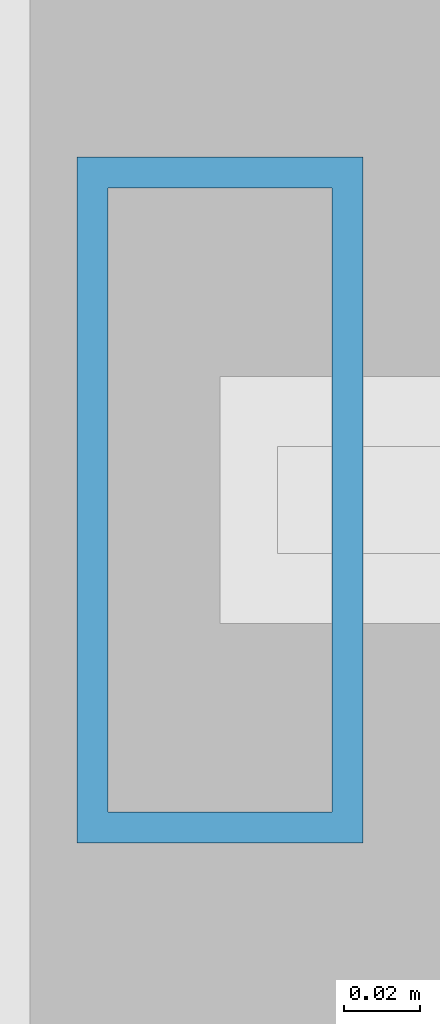
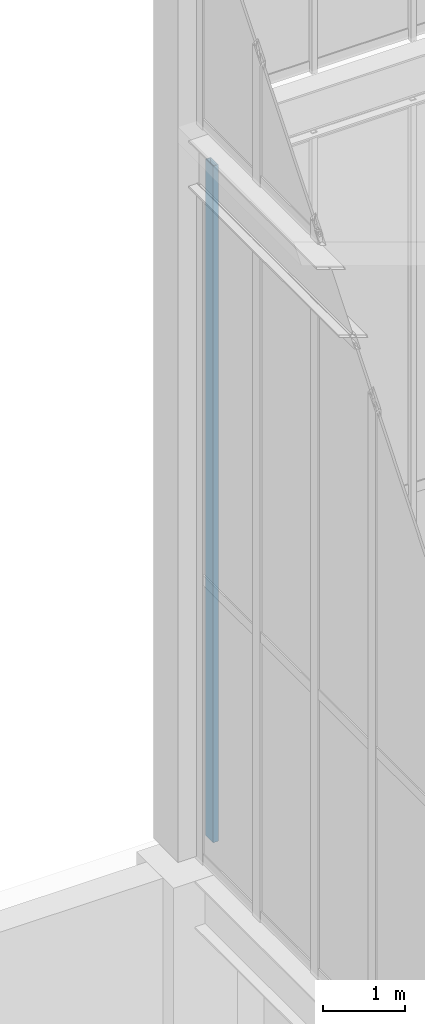
# One storey, part 107 of 135: 1 member, 1 element without a shape of its own.
"""IFC4 building model written with IfcOpenShell, lengths in metres."""

from ifc_helpers import new_model, si_unit, direction, frame, origin, origin_2d, place, context, subcontext, project, spatial, hollow_rectangle, extrude, source, transform, mapped, material, layer, layer_set, material_profile, profile_set, type_object, element, aggregate, save


model = new_model("IFC4")

# Units and contexts
model_context = context("Model", 3, precision=1e-05, world=origin(), true_north=direction((0.0, 1.0)))
body_context = subcontext(model_context, "Body", "Model", "MODEL_VIEW")
ifc_project = project(units=[si_unit("LENGTHUNIT", "METRE"), si_unit("AREAUNIT", "SQUARE_METRE"), si_unit("VOLUMEUNIT", "CUBIC_METRE"), si_unit("PLANEANGLEUNIT", "RADIAN"), si_unit("MASSUNIT", "GRAM", prefix="KILO")], contexts=[model_context])

# Site, building, storey
site_placement = place(None, origin())
site = spatial("IfcSite", under=ifc_project, at=site_placement, CompositionType="ELEMENT")
building_placement = place(site_placement, origin())
building = spatial("IfcBuilding", under=site, at=building_placement, Name="Giltprow Tower", CompositionType="ELEMENT")
storey_placement = place(building_placement, frame((0.0, 0.0, 352.699951171875)))
storey = spatial("IfcBuildingStorey", under=building, at=storey_placement, Name="L92", CompositionType="ELEMENT", Elevation=352.699951171875)

# Curtain wall, member
ifc_material = material(Name="Anodized bronze", Category="metal")
ifc_layer = layer(ifc_material, 0.179931640625, Name="Anodized bronze")
ifc_layer_set = layer_set([ifc_layer], Name="Anodized bronze")
curtain_wall_type = type_object("IfcCurtainWallType", Name="CW-CROWN-LANTERN", PredefinedType="NOTDEFINED", material=ifc_layer_set)
curtain_wall_placement = place(storey_placement, origin())
curtain_wall = element("IfcCurtainWall", 1, at=curtain_wall_placement, inside=storey, type_object=curtain_wall_type, Name="Crown East Lower Lantern Glazing 4", PredefinedType="NOTDEFINED")
ifc_material_profile = material_profile(ifc_material, hollow_rectangle(XDim=0.074951171875, YDim=0.179931640625, WallThickness=0.008056640625, at=origin_2d()), Name="RHS 180x75x8")
ifc_profile_set = profile_set([ifc_material_profile], Name="Anodized bronze")
member_type = type_object("IfcMemberType", Name="CW-MULLION-180x75", PredefinedType="MULLION", material=ifc_profile_set)
shared_shape = source(origin(), body_context, "Body", "SweptSolid", [
    extrude(hollow_rectangle(XDim=0.074951171875, YDim=0.179931640625, WallThickness=0.008056640625, at=origin_2d()), origin(), (0.0, 0.0, 1.0), 10.030029296875),
])
member_placement = place(storey_placement, frame((44.64990234375, 46.550048828125, 6.35009765625), z_axis=(0.0, 0.0, 1.0), x_axis=(1.0, 0.0, 0.0)))
member = element("IfcMember", 2, at=member_placement, type_object=member_type, Name="Crown East Lower Lantern Glazing 4 Mullion 5", PredefinedType="MULLION", context=body_context, shape_type="MappedRepresentation", body=[
    mapped(shared_shape, transform((0.0, 0.0, 0.0), x_axis=(1.0, 0.0, 0.0), y_axis=(0.0, 1.0, 0.0), z_axis=(0.0, 0.0, 1.0), scale=1.0)),
])
aggregate(curtain_wall, [member])

save(model, "model.ifc")
